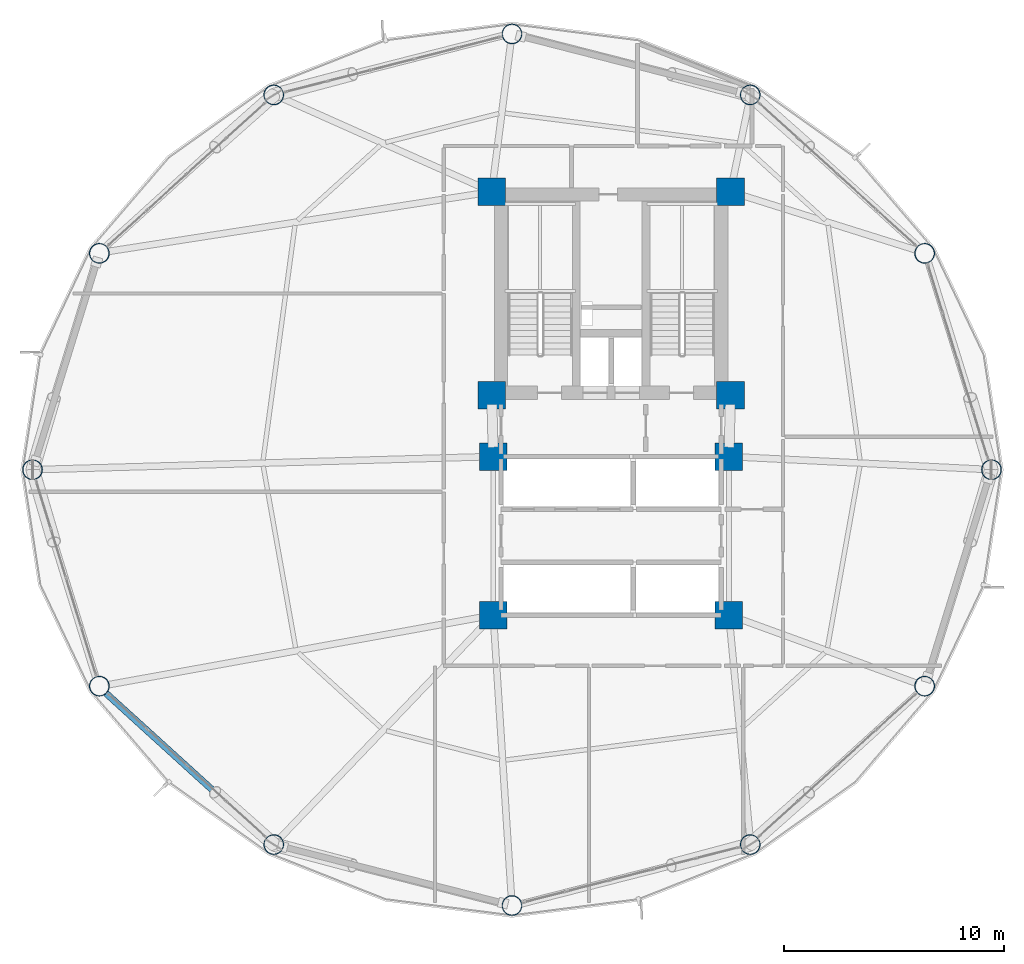
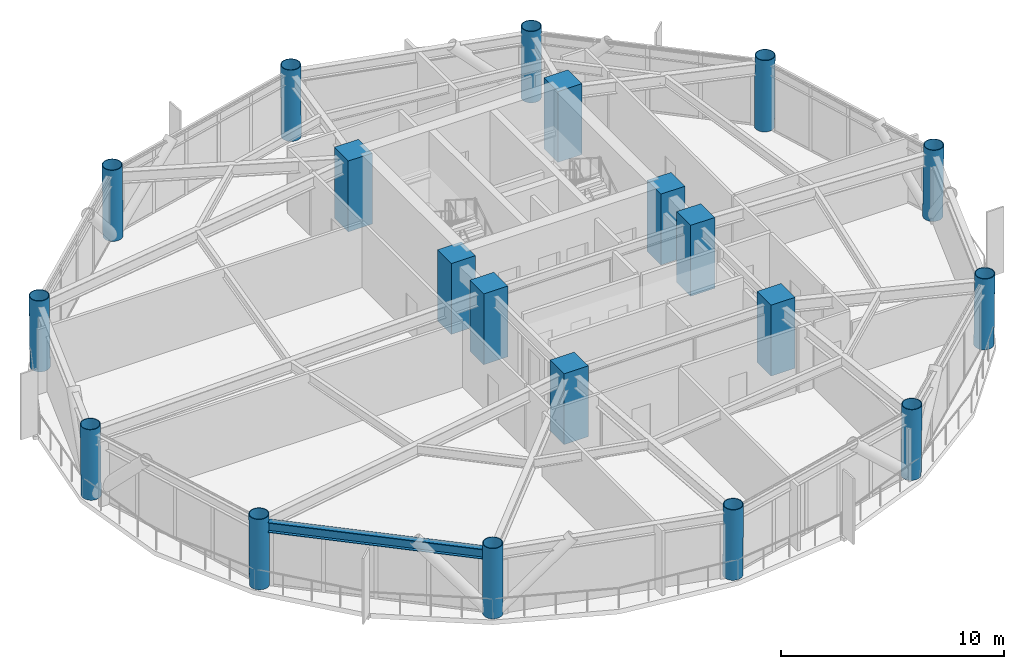
# One storey, part 1 of 25: 20 columns, 1 beam.
"""IFC4 building model written with IfcOpenShell, lengths in metres."""

from ifc_helpers import new_model, si_unit, direction, frame, origin, origin_2d, place, context, subcontext, project, spatial, rectangle, hollow_circle, i_section, extrude, material, material_profile, profile_set, type_object, element, save


model = new_model("IFC4")

# Units and contexts
model_context = context("Model", 3, precision=1e-05, world=origin(), true_north=direction((0.0, 1.0)))
body_context = subcontext(model_context, "Body", "Model", "MODEL_VIEW")
ifc_project = project(units=[si_unit("LENGTHUNIT", "METRE"), si_unit("AREAUNIT", "SQUARE_METRE"), si_unit("VOLUMEUNIT", "CUBIC_METRE"), si_unit("PLANEANGLEUNIT", "RADIAN"), si_unit("MASSUNIT", "GRAM", prefix="KILO")], contexts=[model_context])

# Site, building, storey
site_placement = place(None, origin())
site = spatial("IfcSite", under=ifc_project, at=site_placement, CompositionType="ELEMENT")
building_placement = place(site_placement, origin())
building = spatial("IfcBuilding", under=site, at=building_placement, Name="Varnakorn Sky Granary", CompositionType="ELEMENT")
storey_placement = place(building_placement, frame((0.0, 0.0, 74.39990234375)))
storey = spatial("IfcBuildingStorey", under=building, at=storey_placement, Name="L18", CompositionType="ELEMENT", Elevation=74.39990234375)

# Columns
ifc_material_1 = material(Name="Steel S460M", Category="steel")
ifc_material_profile_1 = material_profile(ifc_material_1, hollow_circle(Radius=0.45703125, WallThickness=0.031982421875, at=origin_2d()), Name="CHS 914x32")
ifc_profile_set_1 = profile_set([ifc_material_profile_1], Name="Steel S460M")
column_type_1 = type_object("IfcColumnType", Name="COL-DC-Z1", PredefinedType="COLUMN", material=ifc_profile_set_1)
for number, where, z_axis, x_axis, name in (
    (1, (20.261962890625, 0.0, 0.0), (0.012662795145, 0.0, 0.999919823595), (0.0, 1.0, 0.0), "Drum Perimeter Column DC01 L18"),
    (2, (17.2294921875, 9.822998046875, 0.0), (0.010961910568, 0.00491395991, 0.999927842154), (-0.409055904093, 0.912509324515, 0.0), "Drum Perimeter Column DC02 L18"),
    (3, (9.3134765625, 17.013916015625, 0.0), (0.006300050309, 0.008505067917, 0.999943985024), (-0.803557193345, 0.595227550626, 0.0), "Drum Perimeter Column DC03 L18"),
    (4, (-1.5, 19.781005859375, 0.0), (0.0, 0.009828154334, 0.999951702525), (-1.0, 0.0, 0.0), "Drum Perimeter Column DC04 L18"),
    (5, (-12.3134765625, 17.013916015625, 0.0), (-0.006300050309, 0.008505067917, 0.999943985024), (-0.803557193345, -0.595227550626, 0.0), "Drum Perimeter Column DC05 L18"),
    (6, (-20.2294921875, 9.822998046875, 0.0), (-0.010961910568, 0.00491395991, 0.999927842154), (-0.409055904093, -0.912509324515, 0.0), "Drum Perimeter Column DC06 L18"),
    (7, (-23.261962890625, 0.0, 0.0), (-0.012662795145, 0.0, 0.999919823595), (0.0, -1.0, 0.0), "Drum Perimeter Column DC07 L18"),
    (8, (-20.2294921875, -9.822998046875, 0.0), (-0.010961910568, -0.00491395991, 0.999927842154), (0.409055904093, -0.912509324515, 0.0), "Drum Perimeter Column DC08 L18"),
    (9, (-12.3134765625, -17.013916015625, 0.0), (-0.006300050309, -0.008505067917, 0.999943985024), (0.803557193345, -0.595227550626, 0.0), "Drum Perimeter Column DC09 L18"),
    (10, (-1.5, -19.781005859375, 0.0), (0.0, -0.009828154334, 0.999951702525), (1.0, 0.0, 0.0), "Drum Perimeter Column DC10 L18"),
    (11, (9.3134765625, -17.013916015625, 0.0), (0.006300050309, -0.008505067917, 0.999943985024), (0.803557193345, 0.595227550626, 0.0), "Drum Perimeter Column DC11 L18"),
    (12, (17.2294921875, -9.822998046875, 0.0), (0.010961910568, -0.00491395991, 0.999927842154), (0.409055904093, 0.912509324515, 0.0), "Drum Perimeter Column DC12 L18"),
):
    element("IfcColumn", number, at=place(storey_placement, frame(where, z_axis=z_axis, x_axis=x_axis)), inside=storey, type_object=column_type_1, Name=name, PredefinedType="COLUMN", context=body_context, shape_type="SweptSolid", body=[
        extrude(hollow_circle(Radius=0.45703125, WallThickness=0.031982421875, at=origin_2d()), origin(), (0.0, 0.0, 1.0), 3.875244140625),
    ])
ifc_material_2 = material(Name="Concrete C60/75", Category="concrete")
ifc_material_profile_2 = material_profile(ifc_material_2, rectangle(XDim=1.25, YDim=1.25, at=origin_2d()), Name="RC 1250x1250")
ifc_profile_set_2 = profile_set([ifc_material_profile_2], Name="Concrete C60/75")
column_type_2 = type_object("IfcColumnType", Name="COL-MC-Z1", PredefinedType="COLUMN", material=ifc_profile_set_2)
for number, where, z_axis, x_axis, name in (
    (13, (-2.419921875, 12.6201171875, 0.0), (0.0, 0.0, 1.0), (1.0, 0.0, 0.0), "Backbone Mega-Column MC1 L18"),
    (14, (8.419921875, 12.6201171875, 0.0), (0.0, 0.0, 1.0), (1.0, 0.0, 0.0), "Backbone Mega-Column MC2 L18"),
    (15, (-2.419921875, 3.3798828125, 0.0), (0.0, 0.0, 1.0), (1.0, 0.0, 0.0), "Backbone Mega-Column MC3 L18"),
    (16, (8.419921875, 3.3798828125, 0.0), (0.0, 0.0, 1.0), (1.0, 0.0, 0.0), "Backbone Mega-Column MC4 L18"),
    (17, (-2.35009765625, 0.60009765625, 0.0), (0.0, 0.0, 1.0), (1.0, 0.0, 0.0), "Backbone Mega-Column MC5 L18"),
    (18, (8.35009765625, 0.60009765625, 0.0), (0.0, 0.0, 1.0), (1.0, 0.0, 0.0), "Backbone Mega-Column MC6 L18"),
    (19, (-2.35009765625, -6.60009765625, 0.0), (0.0, 0.0, 1.0), (1.0, 0.0, 0.0), "Backbone Mega-Column MC7 L18"),
    (20, (8.35009765625, -6.60009765625, 0.0), (0.0, 0.0, 1.0), (1.0, 0.0, 0.0), "Backbone Mega-Column MC8 L18"),
):
    element("IfcColumn", number, at=place(storey_placement, frame(where, z_axis=z_axis, x_axis=x_axis)), inside=storey, type_object=column_type_2, Name=name, PredefinedType="COLUMN", context=body_context, shape_type="SweptSolid", body=[
        extrude(rectangle(XDim=1.25, YDim=1.25, at=origin_2d()), origin(), (0.0, 0.0, 1.0), 3.875),
    ])

# Beam
ifc_material_3 = material(Name="Steel S355JR", Category="steel")
ifc_material_profile_3 = material_profile(ifc_material_3, i_section(OverallWidth=0.300048828125, OverallDepth=0.550048828125, WebThickness=0.014892578125, FlangeThickness=0.029052734375, at=origin_2d()), Name="HE 550 B")
ifc_profile_set_3 = profile_set([ifc_material_profile_3], Name="Steel S355JR")
beam_type = type_object("IfcBeamType", Name="BM-SPD-Z1", PredefinedType="SPANDREL", material=ifc_profile_set_3)
beam_placement = place(storey_placement, frame((-19.94482421875, -10.13916015625, 3.275146484375), z_axis=(0.74030283962, -0.672273534843, 0.0), x_axis=(0.672273534843, 0.74030283962, 0.0)))
element("IfcBeam", 21, at=beam_placement, inside=storey, type_object=beam_type, Name="Perimeter Spandrel Ring Beam RB08 L18", PredefinedType="SPANDREL", context=body_context, shape_type="SweptSolid", body=[
    extrude(i_section(OverallWidth=0.300048828125, OverallDepth=0.550048828125, WebThickness=0.014892578125, FlangeThickness=0.029052734375, at=origin_2d()), origin(), (0.0, 0.0, 1.0), 9.833251953125),
])

save(model, "model.ifc")
